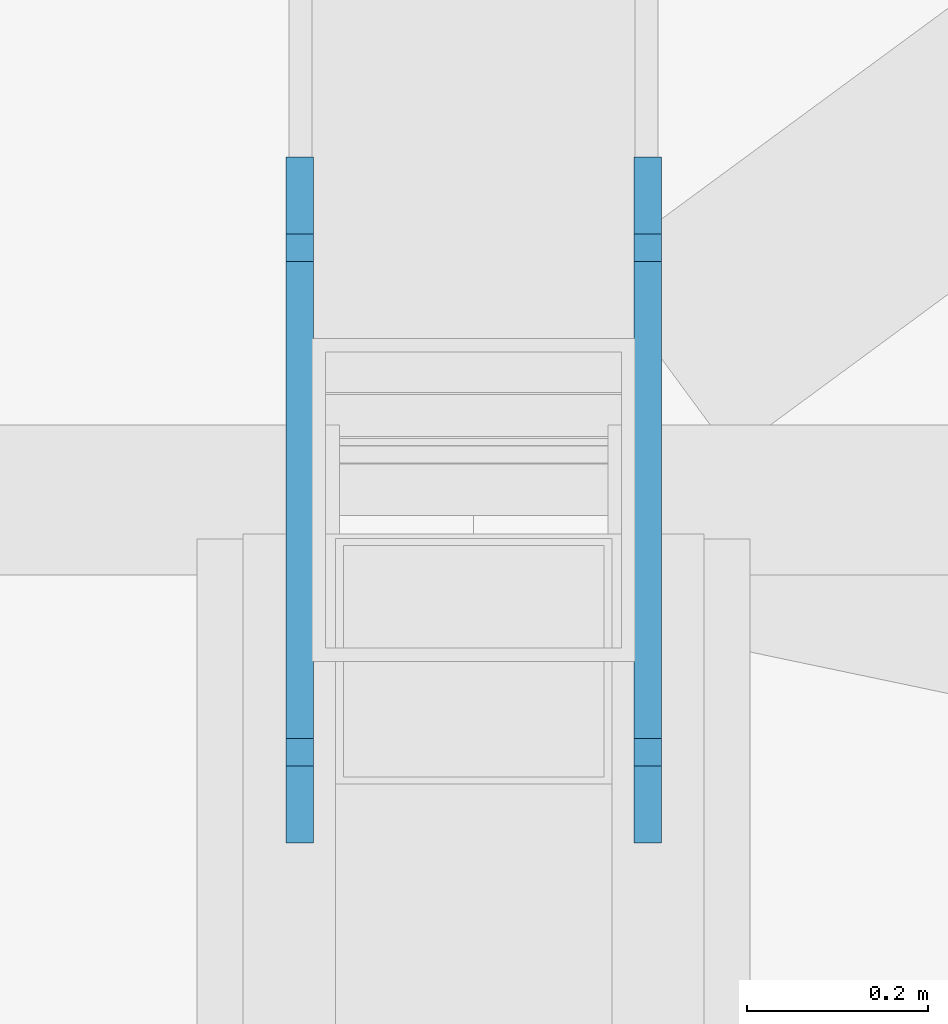
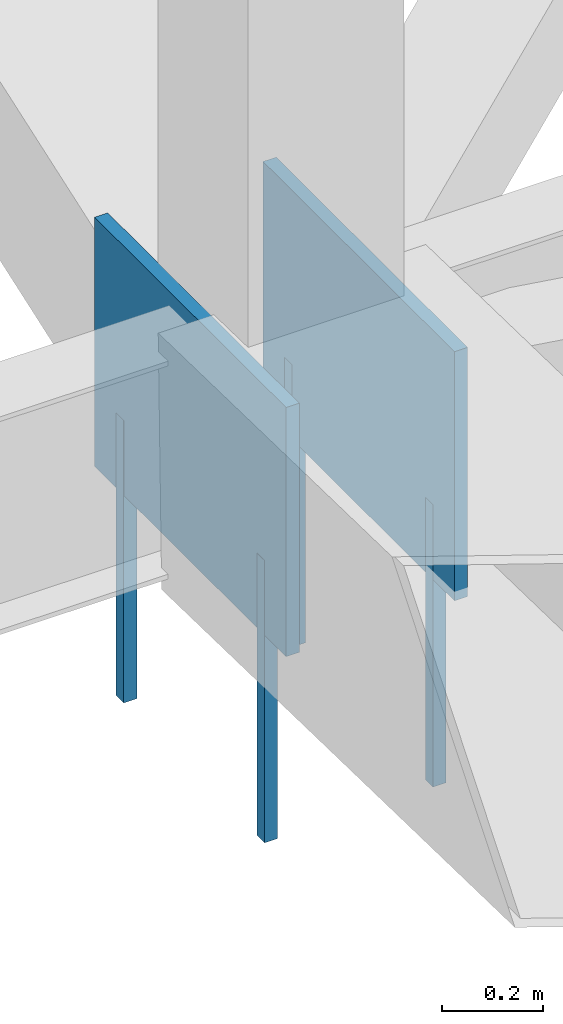
# One storey, part 241 of 278: 4 mechanical fasteners, 2 discrete accessories.
"""IFC4 building model written with IfcOpenShell, lengths in metres."""

from ifc_helpers import new_model, si_unit, direction, frame, origin, origin_2d, place, context, subcontext, project, spatial, rectangle, extrude, material, layer, layer_set, type_object, element, save


model = new_model("IFC4")

# Units and contexts
model_context = context("Model", 3, precision=1e-05, world=origin(), true_north=direction((0.0, 1.0)))
body_context = subcontext(model_context, "Body", "Model", "MODEL_VIEW")
ifc_project = project(units=[si_unit("LENGTHUNIT", "METRE"), si_unit("AREAUNIT", "SQUARE_METRE"), si_unit("VOLUMEUNIT", "CUBIC_METRE"), si_unit("PLANEANGLEUNIT", "RADIAN"), si_unit("MASSUNIT", "GRAM", prefix="KILO")], contexts=[model_context])

# Site, building, storey
site_placement = place(None, origin())
site = spatial("IfcSite", under=ifc_project, at=site_placement, CompositionType="ELEMENT")
building_placement = place(site_placement, origin())
building = spatial("IfcBuilding", under=site, at=building_placement, Name="Ogive Plaza Stadium", CompositionType="ELEMENT")
storey_placement = place(building_placement, frame((0.0, 0.0, 29.0)))
storey = spatial("IfcBuildingStorey", under=building, at=storey_placement, Name="Roof", CompositionType="ELEMENT", Elevation=29.0)

# Mechanical fasteners
ifc_material_1 = material(Name="Steel ASTM A992 Grade 50", Category="steel")
mechanical_fastener_type = type_object("IfcMechanicalFastenerType", Name="Anchor bolt M30 x 600", PredefinedType="ANCHORBOLT", material=ifc_material_1)
for number, where, z_axis, x_axis, name in (
    (1, (20.208251953125, 92.77783203125, -0.5), (0.0, 0.0, 1.0), (0.0, 1.0, 0.0), "ANCHOR BOLT 36 BP 1.1"),
    (2, (20.208251953125, 92.22216796875, -0.5), (0.0, 0.0, 1.0), (0.0, 1.0, 0.0), "ANCHOR BOLT 36 BP 1.2"),
    (3, (20.591796875, 92.77783203125, -0.5), (0.0, 0.0, 1.0), (0.0, 1.0, 0.0), "ANCHOR BOLT 36 BP 2.1"),
    (4, (20.591796875, 92.22216796875, -0.5), (0.0, 0.0, 1.0), (0.0, 1.0, 0.0), "ANCHOR BOLT 36 BP 2.2"),
):
    element("IfcMechanicalFastener", number, at=place(storey_placement, frame(where, z_axis=z_axis, x_axis=x_axis)), inside=storey, type_object=mechanical_fastener_type, Name=name, PredefinedType="ANCHORBOLT", context=body_context, shape_type="SweptSolid", body=[
        extrude(rectangle(XDim=0.030029296875, YDim=0.030029296875, at=origin_2d()), origin(), (0.0, 0.0, 1.0), 0.679931640625),
    ])

# Discrete accessories
ifc_material_2 = material(Name="Steel ASTM A992 Grade 50", Category="steel")
ifc_layer = layer(ifc_material_2, 0.030029296875)
ifc_layer_set = layer_set([ifc_layer], Name="Steel ASTM A992 Grade 50")
discrete_accessory_type = type_object("IfcDiscreteAccessoryType", Name="Truss root foot cleat plate 30", PredefinedType="ANCHORPLATE", material=ifc_layer_set)
for number, where, z_axis, x_axis, name in (
    (5, (20.208251953125, 92.5, 0.0), (0.0, 0.0, 1.0), (0.0, 1.0, 0.0), "TRUSS ROOT FOOT CLEAT PLATE 36 1"),
    (6, (20.591796875, 92.5, 0.0), (0.0, 0.0, 1.0), (0.0, 1.0, 0.0), "TRUSS ROOT FOOT CLEAT PLATE 36 2"),
):
    element("IfcDiscreteAccessory", number, at=place(storey_placement, frame(where, z_axis=z_axis, x_axis=x_axis)), inside=storey, type_object=discrete_accessory_type, Name=name, PredefinedType="ANCHORPLATE", context=body_context, shape_type="SweptSolid", body=[
        extrude(rectangle(XDim=0.755615234375, YDim=0.030029296875, at=origin_2d()), origin(), (0.0, 0.0, 1.0), 0.60009765625),
    ])

save(model, "model.ifc")
